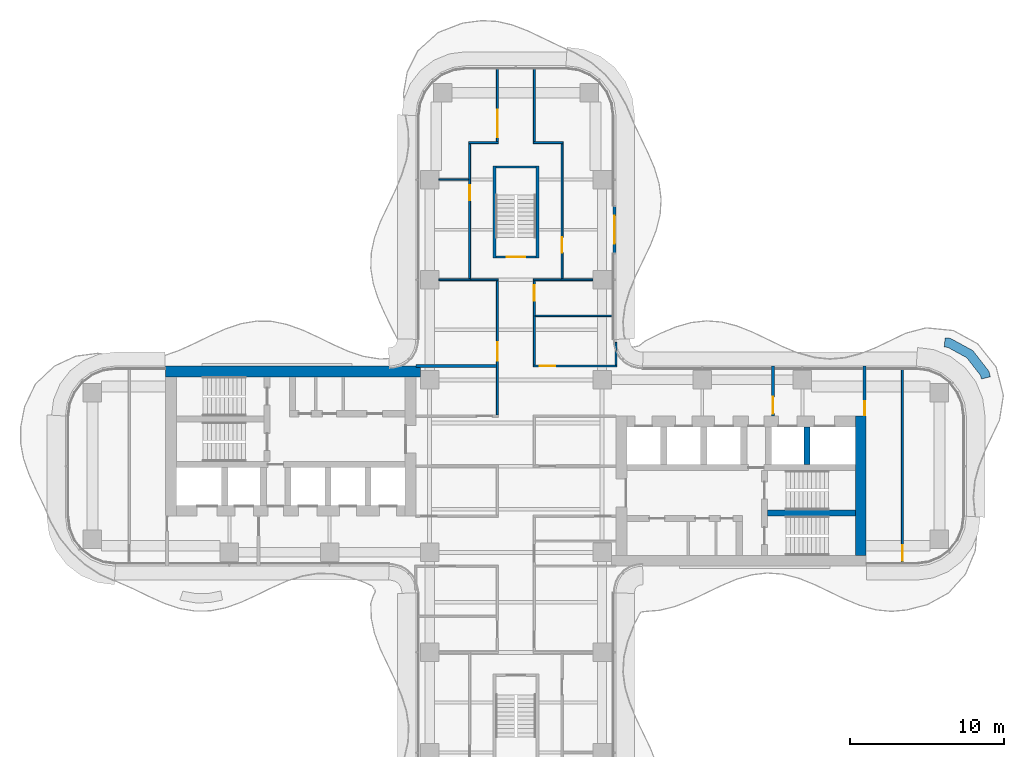
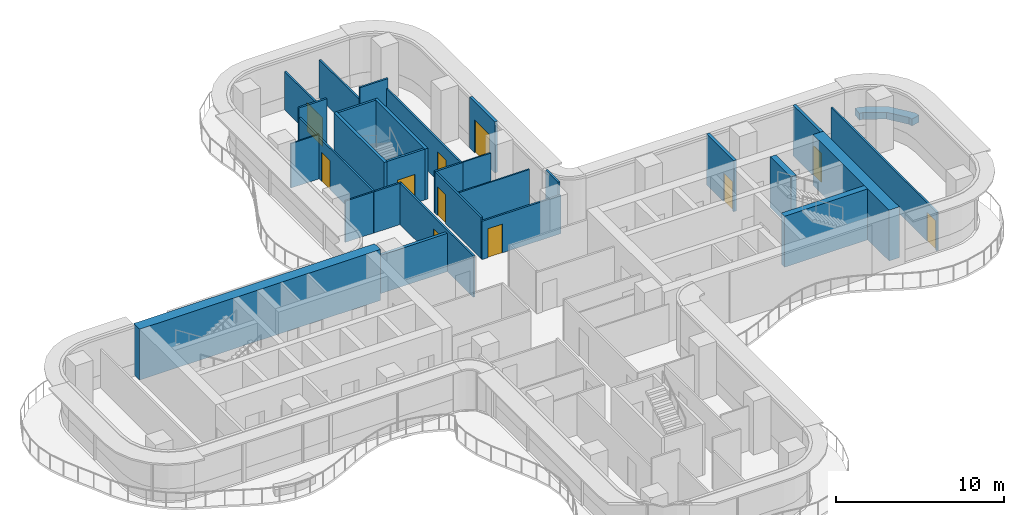
# One storey, part 14 of 17: 30 walls, 11 doors, 11 openings.
"""IFC4 building model written with IfcOpenShell, lengths in metres."""

import ifcopenshell
import ifcopenshell.guid

model = None  # the IFC model being written
_history = None  # IfcOwnerHistory: only IFC2X3 demands one
_inside = {}  # id of a spatial element -> (the spatial element, [elements in it])
_under = {}  # id of a project, library or spatial element -> (it, [spatial elements below it])
_declared = {}  # id of a project -> (the project, [libraries it declares])
_typed = {}  # id of a type object -> (the type object, [elements of that type])
_made_of = {}  # id of a material, layer set ... -> (it, [elements and type objects made of it])


def new_model(schema):
    """Start an empty IFC model of exactly this schema.

    Asked for "IFC4X3", IfcOpenShell would pick the latest addendum, in which some entities
    have other attributes; the version numbers below select the first issue.
    IFC2X3 requires an IfcOwnerHistory on every rooted entity: one is made here for all.
    """
    global model, _history
    if schema == "IFC4X3":
        model = ifcopenshell.file(schema_version=(4, 3, 0, 0))
    else:
        model = ifcopenshell.file(schema=schema)
    _inside.clear()
    _under.clear()
    _declared.clear()
    _typed.clear()
    _made_of.clear()
    _history = None
    if model.schema == "IFC2X3":
        org = make("IfcOrganization", Name="unknown")
        user = make(
            "IfcPersonAndOrganization",
            ThePerson=make("IfcPerson", FamilyName="unknown"),
            TheOrganization=org,
        )
        app = make(
            "IfcApplication",
            ApplicationDeveloper=org,
            Version="unknown",
            ApplicationFullName="unknown",
            ApplicationIdentifier="unknown",
        )
        _history = make(
            "IfcOwnerHistory",
            OwningUser=user,
            OwningApplication=app,
            ChangeAction="ADDED",
            CreationDate=0,
        )
    return model


def make(cls, **values):
    """One entity of the class cls with the attributes given. An attribute that is None is left unset."""
    return model.create_entity(
        cls, **{name: value for name, value in values.items() if value is not None}
    )


def rooted(cls, **values):
    """An entity with a GlobalId (a new one), such as an element, a storey or a relation."""
    return make(cls, GlobalId=ifcopenshell.guid.new(), OwnerHistory=_history, **values)


def si_unit(unit_type, name, prefix=None):
    """IfcSIUnit, for example si_unit("LENGTHUNIT", "METRE", prefix="MILLI")."""
    return make("IfcSIUnit", UnitType=unit_type, Prefix=prefix, Name=name)


def assignment(units):
    """IfcUnitAssignment: the units of a project."""
    return None if units is None else make("IfcUnitAssignment", Units=units)


def point(xyz):
    """IfcCartesianPoint."""
    return None if xyz is None else make("IfcCartesianPoint", Coordinates=xyz)


def direction(xyz):
    """IfcDirection."""
    return None if xyz is None else make("IfcDirection", DirectionRatios=xyz)


def frame(location, z_axis=None, x_axis=None):
    """IfcAxis2Placement3D, a coordinate frame: its origin and axes. An axis left out is left unset."""
    return make(
        "IfcAxis2Placement3D",
        Location=point(location),
        Axis=direction(z_axis),
        RefDirection=direction(x_axis),
    )


def frame_2d(location, x_axis=None):
    """IfcAxis2Placement2D, a coordinate frame in the plane: its origin and x axis."""
    return make(
        "IfcAxis2Placement2D", Location=point(location), RefDirection=direction(x_axis)
    )


def origin():
    """The frame at (0, 0, 0) with its axes left unset."""
    return frame((0.0, 0.0, 0.0))


def place(relative_to, where):
    """IfcLocalPlacement: puts the frame where relative to a parent placement (None: the world)."""
    return make(
        "IfcLocalPlacement", PlacementRelTo=relative_to, RelativePlacement=where
    )


def context(
    kind, dimensions, precision=None, world=None, true_north=None, identifier=None
):
    """IfcGeometricRepresentationContext, for example the 3D "Model" context."""
    return make(
        "IfcGeometricRepresentationContext",
        ContextIdentifier=identifier,
        ContextType=kind,
        CoordinateSpaceDimension=dimensions,
        Precision=precision,
        WorldCoordinateSystem=world,
        TrueNorth=true_north,
    )


def subcontext(parent, identifier, kind, view, scale=None):
    """IfcGeometricRepresentationSubContext, for example "Body" below "Model"."""
    return make(
        "IfcGeometricRepresentationSubContext",
        ContextIdentifier=identifier,
        ContextType=kind,
        ParentContext=parent,
        TargetScale=scale,
        TargetView=view,
    )


def project(units=None, contexts=None):
    """IfcProject with its units and contexts."""
    return rooted(
        "IfcProject",
        Name="project",
        RepresentationContexts=contexts,
        UnitsInContext=assignment(units),
    )


def spatial(cls, under=None, at=None, **own):
    """A site, building, storey or space (cls), placed at a placement, below another one or the project."""
    s = rooted(cls, ObjectPlacement=at, **own)
    if under is not None:
        _under.setdefault(under.id(), (under, []))[1].append(s)
    return s


def polyline(points):
    """IfcPolyline through the points."""
    return make("IfcPolyline", Points=[point(p) for p in points])


def profile(cls, at=None, kind="AREA", **sizes):
    """A parametric profile (cls). Its sizes go by their IFC names, for example OverallWidth=200.0."""
    return make(cls, ProfileType=kind, Position=at, **sizes)


def rectangle(**sizes):
    """IfcRectangleProfileDef."""
    return profile("IfcRectangleProfileDef", **sizes)


def outline(outer, holes=None, kind="AREA"):
    """IfcArbitraryClosedProfileDef: a profile drawn as a closed curve; with holes, ...WithVoids."""
    if holes is None:
        return make("IfcArbitraryClosedProfileDef", ProfileType=kind, OuterCurve=outer)
    return make(
        "IfcArbitraryProfileDefWithVoids",
        ProfileType=kind,
        OuterCurve=outer,
        InnerCurves=holes,
    )


def extrude(swept, where, along, depth):
    """IfcExtrudedAreaSolid: the profile swept, set in the frame where, extruded along a direction by depth."""
    return make(
        "IfcExtrudedAreaSolid",
        SweptArea=swept,
        Position=where,
        ExtrudedDirection=direction(along),
        Depth=depth,
    )


def shape(context_of_items, identifier, shape_type, items):
    """IfcShapeRepresentation: the items that make up one representation, for example the "Body"."""
    return make(
        "IfcShapeRepresentation",
        ContextOfItems=context_of_items,
        RepresentationIdentifier=identifier,
        RepresentationType=shape_type,
        Items=items,
    )


def source(mapping_origin, context_of_items, identifier, shape_type, items):
    """IfcRepresentationMap: a shape defined once, which mapped items show again and again."""
    return make(
        "IfcRepresentationMap",
        MappingOrigin=mapping_origin,
        MappedRepresentation=shape(context_of_items, identifier, shape_type, items),
    )


def transform(
    local_origin,
    x_axis=None,
    y_axis=None,
    z_axis=None,
    scale=None,
    scale2=None,
    scale3=None,
    uniform=True,
):
    """IfcCartesianTransformationOperator3D, or its non-uniform kind. x_axis, y_axis, z_axis: its Axis1, 2, 3."""
    if uniform:
        return make(
            "IfcCartesianTransformationOperator3D",
            Axis1=direction(x_axis),
            Axis2=direction(y_axis),
            LocalOrigin=point(local_origin),
            Scale=scale,
            Axis3=direction(z_axis),
        )
    return make(
        "IfcCartesianTransformationOperator3DnonUniform",
        Axis1=direction(x_axis),
        Axis2=direction(y_axis),
        LocalOrigin=point(local_origin),
        Scale=scale,
        Axis3=direction(z_axis),
        Scale2=scale2,
        Scale3=scale3,
    )


def mapped(mapping_source, mapping_target):
    """IfcMappedItem: shows the shape of a source again, moved by a transform."""
    return make(
        "IfcMappedItem", MappingSource=mapping_source, MappingTarget=mapping_target
    )


def material(Name=None, Category=None):
    """IfcMaterial."""
    return make("IfcMaterial", Name=Name, Category=Category)


def layer(
    of_material, thickness, ventilated=None, Name=None, Category=None, Priority=None
):
    """IfcMaterialLayer: one layer of a wall or slab, of a material (None: an air gap)."""
    return make(
        "IfcMaterialLayer",
        Material=of_material,
        LayerThickness=thickness,
        IsVentilated=ventilated,
        Name=Name,
        Category=Category,
        Priority=Priority,
    )


def layer_set(layers, Name=None):
    """IfcMaterialLayerSet."""
    return make("IfcMaterialLayerSet", MaterialLayers=layers, LayerSetName=Name)


def made_of(thing, what):
    """Note that an element or type object is made of a material, layer set ...; save() writes the relation."""
    if what is not None:
        _made_of.setdefault(what.id(), (what, []))[1].append(thing)
    return thing


def type_object(cls, material=None, **own):
    """A type object (cls), such as IfcWallType, which elements share."""
    return made_of(rooted(cls, **own), material)


def element(
    cls,
    number,
    at=None,
    inside=None,
    cuts=None,
    type_object=None,
    material=None,
    context=None,
    identifier="Body",
    shape_type=None,
    held_by="IfcProductDefinitionShape",
    body=None,
    shapes=None,
    **own,
):
    """One element of the class cls, such as IfcWall. Its Tag is "e" and its number.

    at: its placement. inside: the storey or other place that contains it. cuts: it is an
    opening in that element (IfcRelVoidsElement). A single representation is given by context,
    identifier, shape_type and body (its items); several are given by shapes. held_by: the class
    of the entity that holds the representations. save() writes the other relations.
    """
    e = rooted(cls, Tag="e%d" % number, ObjectPlacement=at, **own)
    if body is not None:
        shapes = [shape(context, identifier, shape_type, body)]
    if shapes is not None:
        e.Representation = make(held_by, Representations=shapes)
    if inside is not None:
        _inside.setdefault(inside.id(), (inside, []))[1].append(e)
    if cuts is not None:
        rooted(
            "IfcRelVoidsElement", RelatingBuildingElement=cuts, RelatedOpeningElement=e
        )
    if type_object is not None:
        _typed.setdefault(type_object.id(), (type_object, []))[1].append(e)
    return made_of(e, material)


def fill(opening, filler):
    """IfcRelFillsElement: the door or window that sits in an opening."""
    return rooted(
        "IfcRelFillsElement",
        RelatingOpeningElement=opening,
        RelatedBuildingElement=filler,
    )


def aggregate(whole, parts):
    """IfcRelAggregates: a whole, such as a stair, and the parts it consists of."""
    return rooted("IfcRelAggregates", RelatingObject=whole, RelatedObjects=parts)


def save(model, path):
    """Write the relations noted so far, then the file.

    IfcRelAggregates (storeys below a building ...), IfcRelContainedInSpatialStructure (elements
    in a storey), IfcRelDefinesByType, IfcRelAssociatesMaterial and IfcRelDeclares: one each for
    every whole, place, type object, material and project.
    """
    for whole, parts in _under.values():
        aggregate(whole, parts)
    for where, things in _inside.values():
        rooted(
            "IfcRelContainedInSpatialStructure",
            RelatedElements=things,
            RelatingStructure=where,
        )
    for kind, things in _typed.values():
        rooted("IfcRelDefinesByType", RelatedObjects=things, RelatingType=kind)
    for what, things in _made_of.values():
        rooted("IfcRelAssociatesMaterial", RelatedObjects=things, RelatingMaterial=what)
    for by, libraries in _declared.values():
        rooted("IfcRelDeclares", RelatingContext=by, RelatedDefinitions=libraries)
    model.write(path)


model = new_model("IFC4")

# Units and contexts
model_context = context("Model", 3, precision=1e-05, world=origin(), true_north=direction((0.0, 1.0)))
body_context = subcontext(model_context, "Body", "Model", "MODEL_VIEW")
ifc_project = project(units=[si_unit("LENGTHUNIT", "METRE"), si_unit("AREAUNIT", "SQUARE_METRE"), si_unit("VOLUMEUNIT", "CUBIC_METRE"), si_unit("PLANEANGLEUNIT", "RADIAN"), si_unit("MASSUNIT", "GRAM", prefix="KILO")], contexts=[model_context])

# Site, building, storey
site_placement = place(None, origin())
site = spatial("IfcSite", under=ifc_project, at=site_placement, CompositionType="ELEMENT")
building_placement = place(site_placement, origin())
building = spatial("IfcBuilding", under=site, at=building_placement, Name="Trellis Farm Tower", CompositionType="ELEMENT")
storey_placement = place(building_placement, frame((0.0, 0.0, 173.699951171875)))
storey = spatial("IfcBuildingStorey", under=building, at=storey_placement, Name="L37", CompositionType="ELEMENT", Elevation=173.699951171875)

# Walls
ifc_material_1 = material(Name="Sandstone faced masonry planter", Category="masonry")
ifc_layer_1 = layer(ifc_material_1, 0.60009765625)
ifc_layer_set_1 = layer_set([ifc_layer_1], Name="PLANTER BED 600")
wall_type_1 = type_object("IfcWallType", Name="PLANTER BED 600", PredefinedType="USERDEFINED", material=ifc_layer_set_1)
wall_1_placement = place(storey_placement, origin())
element("IfcWall", 1, at=wall_1_placement, inside=storey, type_object=wall_type_1, Name="PLANTER bed", ObjectType="PLANTER", PredefinedType="USERDEFINED", context=body_context, shape_type="SweptSolid", body=[
    extrude(outline(polyline([(28.224853515625, 8.294189453125), (29.67138671875, 7.502197265625), (30.723388671875, 6.1513671875), (30.810302734375, 5.796630859375), (30.2275390625, 5.65380859375), (30.171142578125, 5.8837890625), (29.2744140625, 7.035400390625), (28.04345703125, 7.70947265625), (27.811279296875, 7.73291015625), (27.87158203125, 8.330078125), (28.224853515625, 8.294189453125)])), origin(), (0.0, 0.0, 1.0), 0.5),
])
ifc_material_2 = material(Name="Concrete C70/85", Category="concrete")
ifc_layer_2 = layer(ifc_material_2, 0.699951171875)
ifc_layer_set_2 = layer_set([ifc_layer_2], Name="CORE OUTER WALL 700 CONCRETE C70/85")
wall_type_2 = type_object("IfcWallType", Name="CORE OUTER WALL 700 CONCRETE C70/85", PredefinedType="SHEAR", material=ifc_layer_set_2)
shared_shape_1 = source(origin(), body_context, "Body", "SweptSolid", [
    extrude(rectangle(XDim=9.050048828125, YDim=0.699951171875, at=frame_2d((4.52490234375, 0.0))), origin(), (0.0, 0.0, 1.0), 3.699951171875),
])
wall_2_placement = place(storey_placement, frame((22.39990234375, -5.800048828125, 0.0), z_axis=(0.0, 0.0, 1.0), x_axis=(0.0, 1.0, 0.0)))
element("IfcWall", 2, at=wall_2_placement, inside=storey, type_object=wall_type_2, Name="Core wall", PredefinedType="SHEAR", context=body_context, shape_type="MappedRepresentation", body=[
    mapped(shared_shape_1, transform((0.0, 0.0, 0.0))),
])
ifc_layer_3 = layer(ifc_material_2, 0.39990234375)
ifc_layer_set_3 = layer_set([ifc_layer_3], Name="CORE INNER WALL 400 CONCRETE C70/85")
wall_type_3 = type_object("IfcWallType", Name="CORE INNER WALL 400 CONCRETE C70/85", PredefinedType="SHEAR", material=ifc_layer_set_3)
shared_shape_2 = source(origin(), body_context, "Body", "SweptSolid", [
    extrude(rectangle(XDim=2.449951171875, YDim=0.39990234375, at=frame_2d((1.22509765625, 0.0))), origin(), (0.0, 0.0, 1.0), 3.699951171875),
])
wall_3_placement = place(storey_placement, frame((18.89990234375, 0.10009765625, 0.0), z_axis=(0.0, 0.0, 1.0), x_axis=(0.0, 1.0, 0.0)))
element("IfcWall", 3, at=wall_3_placement, inside=storey, type_object=wall_type_3, Name="Core wall", PredefinedType="SHEAR", context=body_context, shape_type="MappedRepresentation", body=[
    mapped(shared_shape_2, transform((0.0, 0.0, 0.0))),
])

# Wall, opening, door
ifc_material_3 = material(Name="Masonry blockwork", Category="masonry")
ifc_layer_4 = layer(ifc_material_3, 0.199951171875)
ifc_layer_set_4 = layer_set([ifc_layer_4], Name="FIRE LOBBY PARTITION 200 BLOCKWORK")
wall_type_4 = type_object("IfcWallType", Name="FIRE LOBBY PARTITION 200 BLOCKWORK", PredefinedType="PARTITIONING", material=ifc_layer_set_4)
shared_shape_3 = source(origin(), body_context, "Body", "SweptSolid", [
    extrude(rectangle(XDim=3.25, YDim=0.199951171875, at=frame_2d((1.625, 0.0))), origin(), (0.0, 0.0, 1.0), 3.699951171875),
])
wall_4_placement = place(storey_placement, frame((16.699951171875, 3.25, 0.0), z_axis=(0.0, 0.0, 1.0), x_axis=(0.0, 1.0, 0.0)))
wall_4 = element("IfcWall", 4, at=wall_4_placement, inside=storey, type_object=wall_type_4, Name="Fire-fighting lobby partition", PredefinedType="PARTITIONING", context=body_context, shape_type="MappedRepresentation", body=[
    mapped(shared_shape_3, transform((0.0, 0.0, 0.0))),
])
shared_shape_4 = source(origin(), body_context, "Body", "SweptSolid", [
    extrude(rectangle(XDim=1.10009765625, YDim=2.10009765625, at=frame_2d((0.550048828125, 1.050048828125))), frame((0.0, 0.110107421875, 0.0), z_axis=(0.0, -1.0, 0.0), x_axis=(1.0, 0.0, 0.0)), (0.0, 0.0, 1.0), 0.22021484375),
])
opening_1_placement = place(wall_4_placement, frame((0.14990234375, 0.0, 0.0)))
opening_1 = element("IfcOpeningElement", 5, at=opening_1_placement, cuts=wall_4, Name="Opening DC7", PredefinedType="OPENING", context=body_context, shape_type="MappedRepresentation", body=[
    mapped(shared_shape_4, transform((0.0, 0.0, 0.0))),
])
ifc_material_4 = material(Name="Steel", Category="steel")
door_type_1 = type_object("IfcDoorType", Name="CORE FIRE DOOR 1100 X 2100", OperationType="NOTDEFINED", PredefinedType="DOOR", material=ifc_material_4)
shared_shape_5 = source(origin(), body_context, "Body", "SweptSolid", [
    extrude(rectangle(XDim=1.10009765625, YDim=2.10009765625, at=frame_2d((0.550048828125, 1.050048828125))), frame((0.0, 0.02490234375, 0.0), z_axis=(0.0, -1.0, 0.0), x_axis=(1.0, 0.0, 0.0)), (0.0, 0.0, 1.0), 0.050048828125),
])
door_1_placement = place(opening_1_placement, origin())
door_1 = element("IfcDoor", 6, at=door_1_placement, inside=storey, type_object=door_type_1, Name="Core door", OperationType="SINGLE_SWING_RIGHT", OverallHeight=2.10009765625, OverallWidth=1.10009765625, PredefinedType="DOOR", context=body_context, shape_type="MappedRepresentation", body=[
    mapped(shared_shape_5, transform((0.0, 0.0, 0.0))),
])
fill(opening_1, door_1)

wall_5_placement = place(storey_placement, frame((22.64990234375, 3.25, 0.0), z_axis=(0.0, 0.0, 1.0), x_axis=(0.0, 1.0, 0.0)))
wall_5 = element("IfcWall", 7, at=wall_5_placement, inside=storey, type_object=wall_type_4, Name="Fire-fighting lobby partition", PredefinedType="PARTITIONING", context=body_context, shape_type="MappedRepresentation", body=[
    mapped(shared_shape_3, transform((0.0, 0.0, 0.0))),
])
shared_shape_6 = source(origin(), body_context, "Body", "SweptSolid", [
    extrude(rectangle(XDim=0.89990234375, YDim=2.10009765625, at=frame_2d((0.449951171875, 1.050048828125))), frame((0.0, 0.110107421875, 0.0), z_axis=(0.0, -1.0, 0.0), x_axis=(1.0, 0.0, 0.0)), (0.0, 0.0, 1.0), 0.22021484375),
])
opening_2_placement = place(wall_5_placement, frame((0.050048828125, 0.0, 0.0)))
opening_2 = element("IfcOpeningElement", 8, at=opening_2_placement, cuts=wall_5, Name="Opening DC8", PredefinedType="OPENING", context=body_context, shape_type="MappedRepresentation", body=[
    mapped(shared_shape_6, transform((0.0, 0.0, 0.0))),
])
door_type_2 = type_object("IfcDoorType", Name="CORE FIRE DOOR 900 X 2100", OperationType="NOTDEFINED", PredefinedType="DOOR", material=ifc_material_4)
shared_shape_7 = source(origin(), body_context, "Body", "SweptSolid", [
    extrude(rectangle(XDim=0.89990234375, YDim=2.10009765625, at=frame_2d((0.449951171875, 1.050048828125))), frame((0.0, 0.02490234375, 0.0), z_axis=(0.0, -1.0, 0.0), x_axis=(1.0, 0.0, 0.0)), (0.0, 0.0, 1.0), 0.050048828125),
])
door_2_placement = place(opening_2_placement, origin())
door_2 = element("IfcDoor", 9, at=door_2_placement, inside=storey, type_object=door_type_2, Name="Core door", OperationType="SINGLE_SWING_RIGHT", OverallHeight=2.10009765625, OverallWidth=0.89990234375, PredefinedType="DOOR", context=body_context, shape_type="MappedRepresentation", body=[
    mapped(shared_shape_7, transform((0.0, 0.0, 0.0))),
])
fill(opening_2, door_2)

# Walls
shared_shape_8 = source(origin(), body_context, "Body", "SweptSolid", [
    extrude(rectangle(XDim=16.550048828125, YDim=0.699951171875, at=frame_2d((8.27490234375, 0.0))), origin(), (0.0, 0.0, 1.0), 3.699951171875),
])
wall_6_placement = place(storey_placement, frame((-6.199951171875, 6.14990234375, 0.0), z_axis=(0.0, 0.0, 1.0), x_axis=(-1.0, 0.0, 0.0)))
element("IfcWall", 10, at=wall_6_placement, inside=storey, type_object=wall_type_2, Name="Core wall", PredefinedType="SHEAR", context=body_context, shape_type="MappedRepresentation", body=[
    mapped(shared_shape_8, transform((0.0, 0.0, 0.0))),
])
shared_shape_9 = source(origin(), body_context, "Body", "SweptSolid", [
    extrude(rectangle(XDim=5.699951171875, YDim=0.39990234375, at=frame_2d((2.85009765625, 0.0))), origin(), (0.0, 0.0, 1.0), 3.699951171875),
])
wall_7_placement = place(storey_placement, frame((16.35009765625, -3.050048828125, 0.0), z_axis=(0.0, 0.0, 1.0), x_axis=(1.0, 0.0, 0.0)))
element("IfcWall", 11, at=wall_7_placement, inside=storey, type_object=wall_type_3, Name="Core wall", PredefinedType="SHEAR", context=body_context, shape_type="MappedRepresentation", body=[
    mapped(shared_shape_9, transform((0.0, 0.0, 0.0))),
])
ifc_layer_5 = layer(ifc_material_2, 0.199951171875)
ifc_layer_set_5 = layer_set([ifc_layer_5], Name="CORE STAIR ENCLOSURE WALL 200 CONCRETE C70/85")
wall_type_5 = type_object("IfcWallType", Name="CORE STAIR ENCLOSURE WALL 200 CONCRETE C70/85", PredefinedType="SHEAR", material=ifc_layer_set_5)
shared_shape_10 = source(origin(), body_context, "Body", "SweptSolid", [
    extrude(rectangle(XDim=6.0, YDim=0.199951171875, at=frame_2d((3.0, 0.0))), origin(), (0.0, 0.0, 1.0), 3.699951171875),
])
for number, where, z_axis, x_axis, name in (
    (12, (-1.39990234375, 13.5, 0.0), (0.0, 0.0, 1.0), (0.0, 1.0, 0.0), "Stair enclosure wall"),
    (13, (1.39990234375, 13.5, 0.0), (0.0, 0.0, 1.0), (0.0, 1.0, 0.0), "Stair enclosure wall"),
):
    element("IfcWall", number, at=place(storey_placement, frame(where, z_axis=z_axis, x_axis=x_axis)), inside=storey, type_object=wall_type_5, Name=name, PredefinedType="SHEAR", context=body_context, shape_type="MappedRepresentation", body=[
        mapped(shared_shape_10, transform((0.0, 0.0, 0.0))),
    ])

# Wall, opening, door
ifc_layer_6 = layer(ifc_material_2, 0.14990234375)
ifc_layer_set_6 = layer_set([ifc_layer_6], Name="CORE STAIR ENCLOSURE WALL 150 CONCRETE C70/85")
wall_type_6 = type_object("IfcWallType", Name="CORE STAIR ENCLOSURE WALL 150 CONCRETE C70/85", PredefinedType="SHEAR", material=ifc_layer_set_6)
shared_shape_11 = source(origin(), body_context, "Body", "SweptSolid", [
    extrude(rectangle(XDim=2.60009765625, YDim=0.14990234375, at=frame_2d((1.300048828125, 0.0))), origin(), (0.0, 0.0, 1.0), 3.699951171875),
])
wall_8_placement = place(storey_placement, frame((-1.300048828125, 13.574951171875, 0.0), z_axis=(0.0, 0.0, 1.0), x_axis=(1.0, 0.0, 0.0)))
wall_8 = element("IfcWall", 14, at=wall_8_placement, inside=storey, type_object=wall_type_6, Name="Stair enclosure wall", PredefinedType="SHEAR", context=body_context, shape_type="MappedRepresentation", body=[
    mapped(shared_shape_11, transform((0.0, 0.0, 0.0))),
])
shared_shape_12 = source(origin(), body_context, "Body", "SweptSolid", [
    extrude(rectangle(XDim=1.199951171875, YDim=2.10009765625, at=frame_2d((0.60009765625, 1.050048828125))), frame((0.0, 0.0849609375, 0.0), z_axis=(0.0, -1.0, 0.0), x_axis=(1.0, 0.0, 0.0)), (0.0, 0.0, 1.0), 0.169921875),
])
opening_3_placement = place(wall_8_placement, frame((0.699951171875, 0.0, 0.0)))
opening_3 = element("IfcOpeningElement", 15, at=opening_3_placement, cuts=wall_8, Name="Opening DC173", PredefinedType="OPENING", context=body_context, shape_type="MappedRepresentation", body=[
    mapped(shared_shape_12, transform((0.0, 0.0, 0.0))),
])
door_type_3 = type_object("IfcDoorType", Name="CORE FIRE DOOR 1200 X 2100", OperationType="NOTDEFINED", PredefinedType="DOOR", material=ifc_material_4)
shared_shape_13 = source(origin(), body_context, "Body", "SweptSolid", [
    extrude(rectangle(XDim=1.199951171875, YDim=2.10009765625, at=frame_2d((0.60009765625, 1.050048828125))), frame((0.0, 0.02490234375, 0.0), z_axis=(0.0, -1.0, 0.0), x_axis=(1.0, 0.0, 0.0)), (0.0, 0.0, 1.0), 0.050048828125),
])
door_3_placement = place(opening_3_placement, origin())
door_3 = element("IfcDoor", 16, at=door_3_placement, inside=storey, type_object=door_type_3, Name="Core door", OperationType="SINGLE_SWING_LEFT", OverallHeight=2.10009765625, OverallWidth=1.199951171875, PredefinedType="DOOR", context=body_context, shape_type="MappedRepresentation", body=[
    mapped(shared_shape_13, transform((0.0, 0.0, 0.0))),
])
fill(opening_3, door_3)

# Wall
wall_9_placement = place(storey_placement, frame((-1.300048828125, 19.425048828125, 0.0), z_axis=(0.0, 0.0, 1.0), x_axis=(1.0, 0.0, 0.0)))
element("IfcWall", 17, at=wall_9_placement, inside=storey, type_object=wall_type_6, Name="Stair enclosure wall", PredefinedType="SHEAR", context=body_context, shape_type="MappedRepresentation", body=[
    mapped(shared_shape_11, transform((0.0, 0.0, 0.0))),
])

# Wall, opening, door
ifc_material_5 = material(Name="Sandstone faced insulated wall", Category="masonry")
ifc_layer_7 = layer(ifc_material_5, 0.199951171875)
ifc_layer_set_7 = layer_set([ifc_layer_7], Name="EXTERNAL INFILL WALL 200")
wall_type_7 = type_object("IfcWallType", Name="EXTERNAL INFILL WALL 200", PredefinedType="SOLIDWALL", material=ifc_layer_set_7)
shared_shape_14 = source(origin(), body_context, "Body", "SweptSolid", [
    extrude(rectangle(XDim=3.0, YDim=0.199951171875, at=frame_2d((1.5, 0.0))), origin(), (0.0, 0.0, 1.0), 3.699951171875),
])
wall_10_placement = place(storey_placement, frame((6.39990234375, 13.85009765625, 0.0), z_axis=(0.0, 0.0, 1.0), x_axis=(0.0, 1.0, 0.0)))
wall_10 = element("IfcWall", 18, at=wall_10_placement, inside=storey, type_object=wall_type_7, Name="EW1 01", PredefinedType="SOLIDWALL", context=body_context, shape_type="MappedRepresentation", body=[
    mapped(shared_shape_14, transform((0.0, 0.0, 0.0))),
])
shared_shape_15 = source(origin(), body_context, "Body", "SweptSolid", [
    extrude(rectangle(XDim=1.800048828125, YDim=2.39990234375, at=frame_2d((0.89990234375, 1.199951171875))), frame((0.0, 0.110107421875, 0.0), z_axis=(0.0, -1.0, 0.0), x_axis=(1.0, 0.0, 0.0)), (0.0, 0.0, 1.0), 0.22021484375),
])
opening_4_placement = place(wall_10_placement, frame((0.60009765625, 0.0, 0.0)))
opening_4 = element("IfcOpeningElement", 19, at=opening_4_placement, cuts=wall_10, Name="Opening ED1", PredefinedType="OPENING", context=body_context, shape_type="MappedRepresentation", body=[
    mapped(shared_shape_15, transform((0.0, 0.0, 0.0))),
])
ifc_material_6 = material(Name="Aluminium framed glazed door", Category="aluminium")
door_type_4 = type_object("IfcDoorType", Name="BALCONY DOOR 1800x2400", OperationType="DOUBLE_DOOR_SINGLE_SWING", PredefinedType="DOOR", material=ifc_material_6)
shared_shape_16 = source(origin(), body_context, "Body", "SweptSolid", [
    extrude(rectangle(XDim=1.800048828125, YDim=2.39990234375, at=frame_2d((0.89990234375, 1.199951171875))), frame((0.0, 0.02490234375, 0.0), z_axis=(0.0, -1.0, 0.0), x_axis=(1.0, 0.0, 0.0)), (0.0, 0.0, 1.0), 0.050048828125),
])
door_4_placement = place(opening_4_placement, origin())
door_4 = element("IfcDoor", 20, at=door_4_placement, inside=storey, type_object=door_type_4, Name="Balcony door", OperationType="DOUBLE_DOOR_SINGLE_SWING", OverallHeight=2.39990234375, OverallWidth=1.800048828125, PredefinedType="DOOR", context=body_context, shape_type="MappedRepresentation", body=[
    mapped(shared_shape_16, transform((0.0, 0.0, 0.0))),
])
fill(opening_4, door_4)

ifc_material_7 = material(Name="Plasterboard on steel studs, mineral wool", Category="steel")
ifc_layer_8 = layer(ifc_material_7, 0.125)
ifc_layer_set_8 = layer_set([ifc_layer_8], Name="PARTITION 125 STUD EI 60")
wall_type_8 = type_object("IfcWallType", Name="PARTITION 125 STUD EI 60", PredefinedType="PARTITIONING", material=ifc_layer_set_8)
shared_shape_17 = source(origin(), body_context, "Body", "SweptSolid", [
    extrude(rectangle(XDim=5.47509765625, YDim=0.125, at=frame_2d((2.737548828125, 0.0))), origin(), (0.0, 0.0, 1.0), 2.99658203125),
])
wall_11_placement = place(storey_placement, frame((1.199951171875, 12.03759765625, 0.0), z_axis=(0.0, 0.0, 1.0), x_axis=(0.0, -1.0, 0.0)))
wall_11 = element("IfcWall", 21, at=wall_11_placement, inside=storey, type_object=wall_type_8, Name="Partition PW1", PredefinedType="PARTITIONING", context=body_context, shape_type="MappedRepresentation", body=[
    mapped(shared_shape_17, transform((0.0, 0.0, 0.0))),
])
shared_shape_18 = source(origin(), body_context, "Body", "SweptSolid", [
    extrude(rectangle(XDim=1.0, YDim=2.10009765625, at=frame_2d((0.5, 1.050048828125))), frame((0.0, 0.072509765625, 0.0), z_axis=(0.0, -1.0, 0.0), x_axis=(1.0, 0.0, 0.0)), (0.0, 0.0, 1.0), 0.14501953125),
])
opening_5_placement = place(wall_11_placement, frame((0.28759765625, 0.0, 0.0)))
opening_5 = element("IfcOpeningElement", 22, at=opening_5_placement, cuts=wall_11, Name="Opening D113", PredefinedType="OPENING", context=body_context, shape_type="MappedRepresentation", body=[
    mapped(shared_shape_18, transform((0.0, 0.0, 0.0))),
])
ifc_material_8 = material(Name="Fire-rated timber door leaf in a hollow metal frame", Category="wood")
door_type_5 = type_object("IfcDoorType", Name="DOOR 1000x2100 FD30S", OperationType="NOTDEFINED", PredefinedType="DOOR", material=ifc_material_8)
shared_shape_19 = source(origin(), body_context, "Body", "SweptSolid", [
    extrude(rectangle(XDim=1.0, YDim=2.10009765625, at=frame_2d((0.5, 1.050048828125))), frame((0.0, 0.02490234375, 0.0), z_axis=(0.0, -1.0, 0.0), x_axis=(1.0, 0.0, 0.0)), (0.0, 0.0, 1.0), 0.050048828125),
])
door_5_placement = place(opening_5_placement, origin())
door_5 = element("IfcDoor", 23, at=door_5_placement, inside=storey, type_object=door_type_5, Name="Door D113", OperationType="SINGLE_SWING_LEFT", OverallHeight=2.10009765625, OverallWidth=1.0, PredefinedType="DOOR", context=body_context, shape_type="MappedRepresentation", body=[
    mapped(shared_shape_19, transform((0.0, 0.0, 0.0))),
])
fill(opening_5, door_5)

# Wall
shared_shape_20 = source(origin(), body_context, "Body", "SweptSolid", [
    extrude(rectangle(XDim=1.468994140625, YDim=0.125, at=frame_2d((0.734375, 0.0))), origin(), (0.0, 0.0, 1.0), 3.699951171875),
])
wall_12_placement = place(storey_placement, frame((6.5, 6.5625, 0.0), z_axis=(0.0, 0.0, 1.0), x_axis=(0.0, 1.0, 0.0)))
element("IfcWall", 24, at=wall_12_placement, inside=storey, type_object=wall_type_8, Name="Partition PW1", PredefinedType="PARTITIONING", context=body_context, shape_type="MappedRepresentation", body=[
    mapped(shared_shape_20, transform((0.0, 0.0, 0.0))),
])

# Wall, opening, door
shared_shape_21 = source(origin(), body_context, "Body", "SweptSolid", [
    extrude(rectangle(XDim=12.60009765625, YDim=0.125, at=frame_2d((6.300048828125, 0.0))), origin(), (0.0, 0.0, 1.0), 2.780029296875),
])
wall_13_placement = place(storey_placement, frame((25.10009765625, 6.300048828125, 0.0), z_axis=(0.0, 0.0, 1.0), x_axis=(0.0, -1.0, 0.0)))
wall_13 = element("IfcWall", 25, at=wall_13_placement, inside=storey, type_object=wall_type_8, Name="Partition PW1", PredefinedType="PARTITIONING", context=body_context, shape_type="MappedRepresentation", body=[
    mapped(shared_shape_21, transform((0.0, 0.0, 0.0))),
])
opening_6_placement = place(wall_13_placement, frame((11.449951171875, 0.0, 0.0)))
opening_6 = element("IfcOpeningElement", 26, at=opening_6_placement, cuts=wall_13, Name="Opening D108", PredefinedType="OPENING", context=body_context, shape_type="MappedRepresentation", body=[
    mapped(shared_shape_18, transform((0.0, 0.0, 0.0))),
])
door_6_placement = place(opening_6_placement, origin())
door_6 = element("IfcDoor", 27, at=door_6_placement, inside=storey, type_object=door_type_5, Name="Door D108", OperationType="SINGLE_SWING_RIGHT", OverallHeight=2.10009765625, OverallWidth=1.0, PredefinedType="DOOR", context=body_context, shape_type="MappedRepresentation", body=[
    mapped(shared_shape_19, transform((0.0, 0.0, 0.0))),
])
fill(opening_6, door_6)

# Walls
ifc_material_9 = material(Name="Plasterboard on steel studs", Category="steel")
ifc_layer_9 = layer(ifc_material_9, 0.10009765625)
ifc_layer_set_9 = layer_set([ifc_layer_9], Name="PARTITION 100 STUD EI 30")
wall_type_9 = type_object("IfcWallType", Name="PARTITION 100 STUD EI 30", PredefinedType="PARTITIONING", material=ifc_layer_set_9)
shared_shape_22 = source(origin(), body_context, "Body", "SweptSolid", [
    extrude(rectangle(XDim=2.0625, YDim=0.10009765625, at=frame_2d((1.03125, 0.0))), origin(), (0.0, 0.0, 1.0), 2.99658203125),
])
for number, where, z_axis, x_axis, name in (
    (28, (-5.0, 12.10009765625, 0.0), (0.0, 0.0, 1.0), (1.0, 0.0, 0.0), "Partition PW2"),
    (29, (2.9375, 12.10009765625, 0.0), (0.0, 0.0, 1.0), (1.0, 0.0, 0.0), "Partition PW2"),
):
    element("IfcWall", number, at=place(storey_placement, frame(where, z_axis=z_axis, x_axis=x_axis)), inside=storey, type_object=wall_type_9, Name=name, PredefinedType="PARTITIONING", context=body_context, shape_type="MappedRepresentation", body=[
        mapped(shared_shape_22, transform((0.0, 0.0, 0.0))),
    ])

# Wall, opening, door
shared_shape_23 = source(origin(), body_context, "Body", "SweptSolid", [
    extrude(rectangle(XDim=4.737548828125, YDim=0.125, at=frame_2d((2.36865234375, 0.0))), origin(), (0.0, 0.0, 1.0), 2.780029296875),
])
wall_14_placement = place(storey_placement, frame((-1.199951171875, 25.800048828125, 0.0), z_axis=(0.0, 0.0, 1.0), x_axis=(0.0, -1.0, 0.0)))
wall_14 = element("IfcWall", 30, at=wall_14_placement, inside=storey, type_object=wall_type_8, Name="Partition PW1", PredefinedType="PARTITIONING", context=body_context, shape_type="MappedRepresentation", body=[
    mapped(shared_shape_23, transform((0.0, 0.0, 0.0))),
])
shared_shape_24 = source(origin(), body_context, "Body", "SweptSolid", [
    extrude(rectangle(XDim=1.800048828125, YDim=2.10009765625, at=frame_2d((0.89990234375, 1.050048828125))), frame((0.0, 0.072509765625, 0.0), z_axis=(0.0, -1.0, 0.0), x_axis=(1.0, 0.0, 0.0)), (0.0, 0.0, 1.0), 0.14501953125),
])
opening_7_placement = place(wall_14_placement, frame((2.64990234375, 0.0, 0.0)))
opening_7 = element("IfcOpeningElement", 31, at=opening_7_placement, cuts=wall_14, Name="Opening D201", PredefinedType="OPENING", context=body_context, shape_type="MappedRepresentation", body=[
    mapped(shared_shape_24, transform((0.0, 0.0, 0.0))),
])
door_type_6 = type_object("IfcDoorType", Name="DOOR PAIR 1800x2100 FD30S", OperationType="NOTDEFINED", PredefinedType="DOOR", material=ifc_material_8)
shared_shape_25 = source(origin(), body_context, "Body", "SweptSolid", [
    extrude(rectangle(XDim=1.800048828125, YDim=2.10009765625, at=frame_2d((0.89990234375, 1.050048828125))), frame((0.0, 0.02490234375, 0.0), z_axis=(0.0, -1.0, 0.0), x_axis=(1.0, 0.0, 0.0)), (0.0, 0.0, 1.0), 0.050048828125),
])
door_7_placement = place(opening_7_placement, origin())
door_7 = element("IfcDoor", 32, at=door_7_placement, inside=storey, type_object=door_type_6, Name="Door D201", OperationType="DOUBLE_DOOR_SINGLE_SWING", OverallHeight=2.10009765625, OverallWidth=1.800048828125, PredefinedType="DOOR", context=body_context, shape_type="MappedRepresentation", body=[
    mapped(shared_shape_25, transform((0.0, 0.0, 0.0))),
])
fill(opening_7, door_7)

# Wall
wall_15_placement = place(storey_placement, frame((1.199951171875, 25.800048828125, 0.0), z_axis=(0.0, 0.0, 1.0), x_axis=(0.0, -1.0, 0.0)))
element("IfcWall", 33, at=wall_15_placement, inside=storey, type_object=wall_type_8, Name="Partition PW1", PredefinedType="PARTITIONING", context=body_context, shape_type="MappedRepresentation", body=[
    mapped(shared_shape_23, transform((0.0, 0.0, 0.0))),
])

# Wall, opening, door
shared_shape_26 = source(origin(), body_context, "Body", "SweptSolid", [
    extrude(rectangle(XDim=8.78759765625, YDim=0.125, at=frame_2d((4.393798828125, 0.0))), origin(), (0.0, 0.0, 1.0), 2.99658203125),
])
wall_16_placement = place(storey_placement, frame((-3.0, 12.14990234375, 0.0), z_axis=(0.0, 0.0, 1.0), x_axis=(0.0, 1.0, 0.0)))
wall_16 = element("IfcWall", 34, at=wall_16_placement, inside=storey, type_object=wall_type_8, Name="Partition PW1", PredefinedType="PARTITIONING", context=body_context, shape_type="MappedRepresentation", body=[
    mapped(shared_shape_26, transform((0.0, 0.0, 0.0))),
])
opening_8_placement = place(wall_16_placement, frame((5.10009765625, 0.0, 0.0)))
opening_8 = element("IfcOpeningElement", 35, at=opening_8_placement, cuts=wall_16, Name="Opening D115", PredefinedType="OPENING", context=body_context, shape_type="MappedRepresentation", body=[
    mapped(shared_shape_18, transform((0.0, 0.0, 0.0))),
])
door_8_placement = place(opening_8_placement, origin())
door_8 = element("IfcDoor", 36, at=door_8_placement, inside=storey, type_object=door_type_5, Name="Door D115", OperationType="SINGLE_SWING_RIGHT", OverallHeight=2.10009765625, OverallWidth=1.0, PredefinedType="DOOR", context=body_context, shape_type="MappedRepresentation", body=[
    mapped(shared_shape_19, transform((0.0, 0.0, 0.0))),
])
fill(opening_8, door_8)

wall_17_placement = place(storey_placement, frame((3.0, 20.9375, 0.0), z_axis=(0.0, 0.0, 1.0), x_axis=(0.0, -1.0, 0.0)))
wall_17 = element("IfcWall", 37, at=wall_17_placement, inside=storey, type_object=wall_type_8, Name="Partition PW1", PredefinedType="PARTITIONING", context=body_context, shape_type="MappedRepresentation", body=[
    mapped(shared_shape_26, transform((0.0, 0.0, 0.0))),
])
opening_9_placement = place(wall_17_placement, frame((6.08740234375, 0.0, 0.0)))
opening_9 = element("IfcOpeningElement", 38, at=opening_9_placement, cuts=wall_17, Name="Opening D114", PredefinedType="OPENING", context=body_context, shape_type="MappedRepresentation", body=[
    mapped(shared_shape_18, transform((0.0, 0.0, 0.0))),
])
door_9_placement = place(opening_9_placement, origin())
door_9 = element("IfcDoor", 39, at=door_9_placement, inside=storey, type_object=door_type_5, Name="Door D114", OperationType="SINGLE_SWING_RIGHT", OverallHeight=2.10009765625, OverallWidth=1.0, PredefinedType="DOOR", context=body_context, shape_type="MappedRepresentation", body=[
    mapped(shared_shape_19, transform((0.0, 0.0, 0.0))),
])
fill(opening_9, door_9)

shared_shape_27 = source(origin(), body_context, "Body", "SweptSolid", [
    extrude(rectangle(XDim=8.72509765625, YDim=0.125, at=frame_2d((4.362548828125, 0.0))), origin(), (0.0, 0.0, 1.0), 2.99658203125),
])
wall_18_placement = place(storey_placement, frame((-1.199951171875, 12.03759765625, 0.0), z_axis=(0.0, 0.0, 1.0), x_axis=(0.0, -1.0, 0.0)))
wall_18 = element("IfcWall", 40, at=wall_18_placement, inside=storey, type_object=wall_type_8, Name="Partition PW1", PredefinedType="PARTITIONING", context=body_context, shape_type="MappedRepresentation", body=[
    mapped(shared_shape_27, transform((0.0, 0.0, 0.0))),
])
shared_shape_28 = source(origin(), body_context, "Body", "SweptSolid", [
    extrude(rectangle(XDim=1.199951171875, YDim=2.10009765625, at=frame_2d((0.60009765625, 1.050048828125))), frame((0.0, 0.072509765625, 0.0), z_axis=(0.0, -1.0, 0.0), x_axis=(1.0, 0.0, 0.0)), (0.0, 0.0, 1.0), 0.14501953125),
])
opening_10_placement = place(wall_18_placement, frame((3.987548828125, 0.0, 0.0)))
opening_10 = element("IfcOpeningElement", 41, at=opening_10_placement, cuts=wall_18, Name="Opening D601", PredefinedType="OPENING", context=body_context, shape_type="MappedRepresentation", body=[
    mapped(shared_shape_28, transform((0.0, 0.0, 0.0))),
])
door_type_7 = type_object("IfcDoorType", Name="DOOR 1200x2100 FD30S", OperationType="NOTDEFINED", PredefinedType="DOOR", material=ifc_material_8)
door_10_placement = place(opening_10_placement, origin())
door_10 = element("IfcDoor", 42, at=door_10_placement, inside=storey, type_object=door_type_7, Name="Door D601", OperationType="SINGLE_SWING_RIGHT", OverallHeight=2.10009765625, OverallWidth=1.199951171875, PredefinedType="DOOR", context=body_context, shape_type="MappedRepresentation", body=[
    mapped(shared_shape_13, transform((0.0, 0.0, 0.0))),
])
fill(opening_10, door_10)

# Walls
shared_shape_29 = source(origin(), body_context, "Body", "SweptSolid", [
    extrude(rectangle(XDim=1.925048828125, YDim=0.125, at=frame_2d((0.96240234375, 0.0))), origin(), (0.0, 0.0, 1.0), 3.699951171875),
])
for number, where, z_axis, x_axis, name in (
    (43, (-3.0625, 21.0, 0.0), (0.0, 0.0, 1.0), (1.0, 0.0, 0.0), "Partition PW1"),
    (44, (1.137451171875, 21.0, 0.0), (0.0, 0.0, 1.0), (1.0, 0.0, 0.0), "Partition PW1"),
):
    element("IfcWall", number, at=place(storey_placement, frame(where, z_axis=z_axis, x_axis=x_axis)), inside=storey, type_object=wall_type_8, Name=name, PredefinedType="PARTITIONING", context=body_context, shape_type="MappedRepresentation", body=[
        mapped(shared_shape_29, transform((0.0, 0.0, 0.0))),
    ])
shared_shape_30 = source(origin(), body_context, "Body", "SweptSolid", [
    extrude(rectangle(XDim=1.925048828125, YDim=0.125, at=frame_2d((0.96240234375, 0.0))), origin(), (0.0, 0.0, 1.0), 2.99658203125),
])
for number, where, z_axis, x_axis, name in (
    (45, (-1.137451171875, 12.10009765625, 0.0), (0.0, 0.0, 1.0), (-1.0, 0.0, 0.0), "Partition PW1"),
    (46, (3.0625, 12.10009765625, 0.0), (0.0, 0.0, 1.0), (-1.0, 0.0, 0.0), "Partition PW1"),
):
    element("IfcWall", number, at=place(storey_placement, frame(where, z_axis=z_axis, x_axis=x_axis)), inside=storey, type_object=wall_type_8, Name=name, PredefinedType="PARTITIONING", context=body_context, shape_type="MappedRepresentation", body=[
        mapped(shared_shape_30, transform((0.0, 0.0, 0.0))),
    ])

# Wall, opening, door
shared_shape_31 = source(origin(), body_context, "Body", "SweptSolid", [
    extrude(rectangle(XDim=5.425048828125, YDim=0.125, at=frame_2d((2.71240234375, 0.0))), origin(), (0.0, 0.0, 1.0), 2.780029296875),
])
wall_19_placement = place(storey_placement, frame((1.137451171875, 6.5, 0.0), z_axis=(0.0, 0.0, 1.0), x_axis=(1.0, 0.0, 0.0)))
wall_19 = element("IfcWall", 47, at=wall_19_placement, inside=storey, type_object=wall_type_8, Name="Partition PW1", PredefinedType="PARTITIONING", context=body_context, shape_type="MappedRepresentation", body=[
    mapped(shared_shape_31, transform((0.0, 0.0, 0.0))),
])
opening_11_placement = place(wall_19_placement, frame((0.41259765625, 0.0, 0.0)))
opening_11 = element("IfcOpeningElement", 48, at=opening_11_placement, cuts=wall_19, Name="Opening D112", PredefinedType="OPENING", context=body_context, shape_type="MappedRepresentation", body=[
    mapped(shared_shape_18, transform((0.0, 0.0, 0.0))),
])
door_11_placement = place(opening_11_placement, origin())
door_11 = element("IfcDoor", 49, at=door_11_placement, inside=storey, type_object=door_type_5, Name="Door D112", OperationType="SINGLE_SWING_LEFT", OverallHeight=2.10009765625, OverallWidth=1.0, PredefinedType="DOOR", context=body_context, shape_type="MappedRepresentation", body=[
    mapped(shared_shape_19, transform((0.0, 0.0, 0.0))),
])
fill(opening_11, door_11)

# Walls
shared_shape_32 = source(origin(), body_context, "Body", "SweptSolid", [
    extrude(rectangle(XDim=5.03759765625, YDim=0.10009765625, at=frame_2d((2.518798828125, 0.0))), origin(), (0.0, 0.0, 1.0), 2.780029296875),
])
wall_20_placement = place(storey_placement, frame((1.262451171875, 9.75, 0.0), z_axis=(0.0, 0.0, 1.0), x_axis=(1.0, 0.0, 0.0)))
element("IfcWall", 50, at=wall_20_placement, inside=storey, type_object=wall_type_9, Name="Partition PW2", PredefinedType="PARTITIONING", context=body_context, shape_type="MappedRepresentation", body=[
    mapped(shared_shape_32, transform((0.0, 0.0, 0.0))),
])
shared_shape_33 = source(origin(), body_context, "Body", "SweptSolid", [
    extrude(rectangle(XDim=1.9375, YDim=0.10009765625, at=frame_2d((0.96875, 0.0))), origin(), (0.0, 0.0, 1.0), 3.22314453125),
])
wall_21_placement = place(storey_placement, frame((-5.0, 18.60009765625, 0.0), z_axis=(0.0, 0.0, 1.0), x_axis=(1.0, 0.0, 0.0)))
element("IfcWall", 51, at=wall_21_placement, inside=storey, type_object=wall_type_9, Name="Partition PW2", PredefinedType="PARTITIONING", context=body_context, shape_type="MappedRepresentation", body=[
    mapped(shared_shape_33, transform((0.0, 0.0, 0.0))),
])
ifc_material_10 = material(Name="Lightweight blockwork, plastered", Category="masonry")
ifc_layer_10 = layer(ifc_material_10, 0.199951171875)
ifc_layer_set_10 = layer_set([ifc_layer_10], Name="BLOCK WALL 200 EI 120")
wall_type_10 = type_object("IfcWallType", Name="BLOCK WALL 200 EI 120", PredefinedType="PARTITIONING", material=ifc_layer_set_10)
shared_shape_34 = source(origin(), body_context, "Body", "SweptSolid", [
    extrude(rectangle(XDim=5.237548828125, YDim=0.199951171875, at=frame_2d((2.61865234375, 0.0))), origin(), (0.0, 0.0, 1.0), 2.780029296875),
])
wall_22_placement = place(storey_placement, frame((-6.5, 6.5, 0.0), z_axis=(0.0, 0.0, 1.0), x_axis=(1.0, 0.0, 0.0)))
element("IfcWall", 52, at=wall_22_placement, inside=storey, type_object=wall_type_10, Name="Partition PW3", PredefinedType="PARTITIONING", context=body_context, shape_type="MappedRepresentation", body=[
    mapped(shared_shape_34, transform((0.0, 0.0, 0.0))),
])

save(model, "model.ifc")
